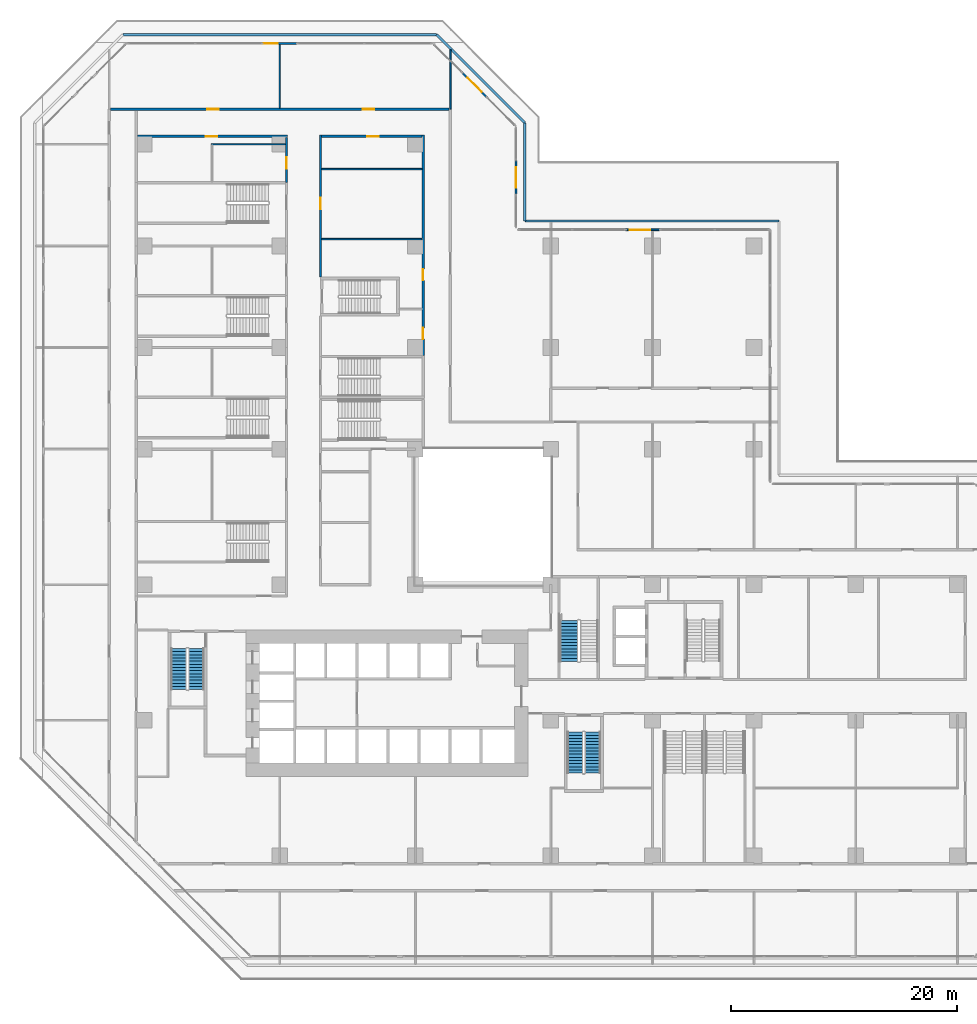
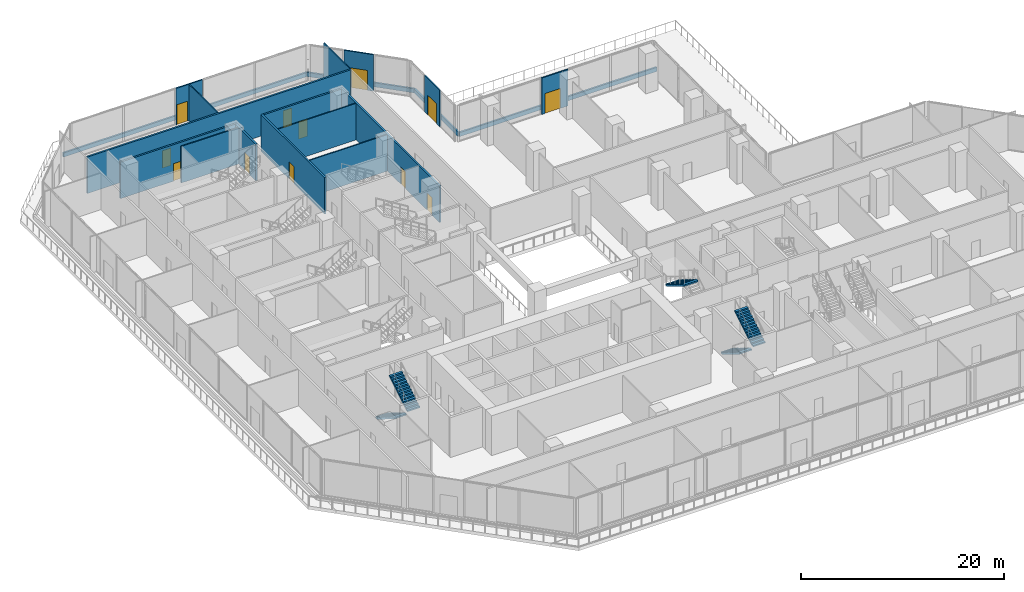
# One storey, part 19 of 26: 19 walls, 12 doors, 5 stair flights, 12 openings, 3 elements without a shape of their own.
"""IFC4 building model written with IfcOpenShell, lengths in metres."""

from ifc_helpers import new_model, si_unit, direction, frame, frame_2d, origin, place, context, subcontext, project, spatial, polyline, rectangle, outline, extrude, material, layer, layer_set, type_object, element, fill, aggregate, save


model = new_model("IFC4")

# Units and contexts
model_context = context("Model", 3, precision=1e-05, world=origin(), true_north=direction((0.0, 1.0)))
body_context = subcontext(model_context, "Body", "Model", "MODEL_VIEW")
ifc_project = project(units=[si_unit("LENGTHUNIT", "METRE"), si_unit("AREAUNIT", "SQUARE_METRE"), si_unit("VOLUMEUNIT", "CUBIC_METRE"), si_unit("PLANEANGLEUNIT", "RADIAN"), si_unit("MASSUNIT", "GRAM", prefix="KILO")], contexts=[model_context])

# Site, building, storey
site_placement = place(None, origin())
site = spatial("IfcSite", under=ifc_project, at=site_placement, CompositionType="ELEMENT")
building_placement = place(site_placement, origin())
building = spatial("IfcBuilding", under=site, at=building_placement, Name="Chenar Terraces", CompositionType="ELEMENT")
storey_placement = place(building_placement, frame((0.0, 0.0, 16.800048828125)))
storey = spatial("IfcBuildingStorey", under=building, at=storey_placement, Name="L03", CompositionType="ELEMENT", Elevation=16.800048828125)

# Walls
ifc_material_1 = material(Name="Gypsum board on steel studs with mineral wool", Category="steel")
ifc_layer_1 = layer(ifc_material_1, 0.125)
ifc_layer_set_1 = layer_set([ifc_layer_1], Name="Gypsum board on steel studs with mineral wool")
wall_type_1 = type_object("IfcWallType", Name="Acoustic partition 125", PredefinedType="PARTITIONING", material=ifc_layer_set_1)
wall_1_placement = place(storey_placement, frame((5.93798828125, 63.0, 0.0), z_axis=(0.0, 0.0, 1.0), x_axis=(1.0, 0.0, 0.0)))
element("IfcWall", 1, at=wall_1_placement, inside=storey, type_object=wall_type_1, Name="Partition L03-033", PredefinedType="PARTITIONING", context=body_context, shape_type="SweptSolid", body=[
    extrude(rectangle(XDim=6.56201171875, YDim=0.125, at=frame_2d((3.281005859375, 0.0))), origin(), (0.0, 0.0, 1.0), 4.39990234375),
])
wall_2_placement = place(storey_placement, frame((12.0, 66.199951171875, 0.0), z_axis=(0.0, 0.0, 1.0), x_axis=(0.0, 1.0, 0.0)))
element("IfcWall", 2, at=wall_2_placement, inside=storey, type_object=wall_type_1, Name="Partition L03-040", PredefinedType="PARTITIONING", context=body_context, shape_type="SweptSolid", body=[
    extrude(rectangle(XDim=5.651123046875, YDim=0.125, at=frame_2d((2.82568359375, 0.0))), origin(), (0.0, 0.0, 1.0), 4.39990234375),
])
for number, where, z_axis, x_axis, name in (
    (3, (15.699951171875, 54.60009765625, 0.0), (0.0, 0.0, 1.0), (1.0, 0.0, 0.0), "Partition L03-060"),
    (4, (15.699951171875, 60.800048828125, 0.0), (0.0, 0.0, 1.0), (1.0, 0.0, 0.0), "Partition L03-061"),
):
    element("IfcWall", number, at=place(storey_placement, frame(where, z_axis=z_axis, x_axis=x_axis)), inside=storey, type_object=wall_type_1, Name=name, PredefinedType="PARTITIONING", context=body_context, shape_type="SweptSolid", body=[
        extrude(rectangle(XDim=8.900146484375, YDim=0.125, at=frame_2d((4.4501953125, 0.0))), origin(), (0.0, 0.0, 1.0), 4.39990234375),
    ])
wall_3_placement = place(storey_placement, frame((27.10009765625, 66.10009765625, 0.0), z_axis=(0.0, 0.0, 1.0), x_axis=(0.0, 1.0, 0.0)))
element("IfcWall", 5, at=wall_3_placement, inside=storey, type_object=wall_type_1, Name="Partition L03-072", PredefinedType="PARTITIONING", context=body_context, shape_type="SweptSolid", body=[
    extrude(rectangle(XDim=5.2548828125, YDim=0.125, at=frame_2d((2.62744140625, 0.0))), origin(), (0.0, 0.0, 1.0), 4.39990234375),
])

# Wall, openings, doors
ifc_material_2 = material(Name="Gypsum board on steel studs with fire boards", Category="steel")
ifc_layer_2 = layer(ifc_material_2, 0.199951171875)
ifc_layer_set_2 = layer_set([ifc_layer_2], Name="Gypsum board on steel studs with fire boards")
wall_type_2 = type_object("IfcWallType", Name="Corridor wall 200", PredefinedType="PARTITIONING", material=ifc_layer_set_2)
wall_4_placement = place(storey_placement, frame((-3.0, 66.10009765625, 0.0), z_axis=(0.0, 0.0, 1.0), x_axis=(1.0, 0.0, 0.0)))
wall_4 = element("IfcWall", 6, at=wall_4_placement, inside=storey, type_object=wall_type_2, Name="Partition L03-009", PredefinedType="PARTITIONING", context=body_context, shape_type="SweptSolid", body=[
    extrude(rectangle(XDim=30.0, YDim=0.199951171875, at=frame_2d((15.0, 0.0))), origin(), (0.0, 0.0, 1.0), 4.39990234375),
])
opening_1_placement = place(wall_4_placement, frame((8.60009765625, 0.0, 0.0)))
opening_1 = element("IfcOpeningElement", 7, at=opening_1_placement, cuts=wall_4, Name="Opening DL03-47", PredefinedType="OPENING", context=body_context, shape_type="SweptSolid", body=[
    extrude(rectangle(XDim=1.0, YDim=2.10009765625, at=frame_2d((0.5, 1.050048828125))), frame((0.0, 0.10986328125, 0.0), z_axis=(0.0, -1.0, 0.0), x_axis=(1.0, 0.0, 0.0)), (0.0, 0.0, 1.0), 0.219970703125),
])
opening_2_placement = place(wall_4_placement, frame((22.35009765625, 0.0, 0.0)))
opening_2 = element("IfcOpeningElement", 8, at=opening_2_placement, cuts=wall_4, Name="Opening DL03-48", PredefinedType="OPENING", context=body_context, shape_type="SweptSolid", body=[
    extrude(rectangle(XDim=1.0, YDim=2.10009765625, at=frame_2d((0.5, 1.050048828125))), frame((0.0, 0.10986328125, 0.0), z_axis=(0.0, -1.0, 0.0), x_axis=(1.0, 0.0, 0.0)), (0.0, 0.0, 1.0), 0.219970703125),
])
ifc_material_3 = material(Name="Steel-framed fire-resisting door leaf", Category="steel")
door_type_1 = type_object("IfcDoorType", Name="Fire door FD60 1000 x 2100", OperationType="SINGLE_SWING_LEFT", PredefinedType="DOOR", material=ifc_material_3)
door_1_placement = place(opening_1_placement, origin())
door_1 = element("IfcDoor", 9, at=door_1_placement, inside=storey, type_object=door_type_1, Name="Door DL03-47", OperationType="SINGLE_SWING_RIGHT", OverallHeight=2.10009765625, OverallWidth=1.0, PredefinedType="DOOR", context=body_context, shape_type="SweptSolid", body=[
    extrude(rectangle(XDim=1.0, YDim=2.10009765625, at=frame_2d((0.5, 1.050048828125))), frame((0.0, 0.02490234375, 0.0), z_axis=(0.0, -1.0, 0.0), x_axis=(1.0, 0.0, 0.0)), (0.0, 0.0, 1.0), 0.050048828125),
])
fill(opening_1, door_1)
door_2_placement = place(opening_2_placement, origin())
door_2 = element("IfcDoor", 10, at=door_2_placement, inside=storey, type_object=door_type_1, Name="Door DL03-48", OperationType="SINGLE_SWING_RIGHT", OverallHeight=2.10009765625, OverallWidth=1.0, PredefinedType="DOOR", context=body_context, shape_type="SweptSolid", body=[
    extrude(rectangle(XDim=1.0, YDim=2.10009765625, at=frame_2d((0.5, 1.050048828125))), frame((0.0, 0.02490234375, 0.0), z_axis=(0.0, -1.0, 0.0), x_axis=(1.0, 0.0, 0.0)), (0.0, 0.0, 1.0), 0.050048828125),
])
fill(opening_2, door_2)

# Wall, opening, door
wall_5_placement = place(storey_placement, frame((-0.60009765625, 63.699951171875, 0.0), z_axis=(0.0, 0.0, 1.0), x_axis=(1.0, 0.0, 0.0)))
wall_5 = element("IfcWall", 11, at=wall_5_placement, inside=storey, type_object=wall_type_2, Name="Partition L03-029", PredefinedType="PARTITIONING", context=body_context, shape_type="SweptSolid", body=[
    extrude(rectangle(XDim=13.300048828125, YDim=0.199951171875, at=frame_2d((6.64990234375, 0.0))), origin(), (0.0, 0.0, 1.0), 4.39990234375),
])
opening_3_placement = place(wall_5_placement, frame((6.050048828125, 0.0, 0.0)))
opening_3 = element("IfcOpeningElement", 12, at=opening_3_placement, cuts=wall_5, Name="Opening DL03-35", PredefinedType="OPENING", context=body_context, shape_type="SweptSolid", body=[
    extrude(rectangle(XDim=1.0, YDim=2.10009765625, at=frame_2d((0.5, 1.050048828125))), frame((0.0, 0.10986328125, 0.0), z_axis=(0.0, -1.0, 0.0), x_axis=(1.0, 0.0, 0.0)), (0.0, 0.0, 1.0), 0.219970703125),
])
door_3_placement = place(opening_3_placement, origin())
door_3 = element("IfcDoor", 13, at=door_3_placement, inside=storey, type_object=door_type_1, Name="Door DL03-35", OperationType="SINGLE_SWING_RIGHT", OverallHeight=2.10009765625, OverallWidth=1.0, PredefinedType="DOOR", context=body_context, shape_type="SweptSolid", body=[
    extrude(rectangle(XDim=1.0, YDim=2.10009765625, at=frame_2d((0.5, 1.050048828125))), frame((0.0, 0.02490234375, 0.0), z_axis=(0.0, -1.0, 0.0), x_axis=(1.0, 0.0, 0.0)), (0.0, 0.0, 1.0), 0.050048828125),
])
fill(opening_3, door_3)

wall_6_placement = place(storey_placement, frame((12.60009765625, 59.60009765625, 0.0), z_axis=(0.0, 0.0, 1.0), x_axis=(0.0, 1.0, 0.0)))
wall_6 = element("IfcWall", 14, at=wall_6_placement, inside=storey, type_object=wall_type_2, Name="Partition L03-048", PredefinedType="PARTITIONING", context=body_context, shape_type="SweptSolid", body=[
    extrude(rectangle(XDim=4.0, YDim=0.199951171875, at=frame_2d((2.0, 0.0))), origin(), (0.0, 0.0, 1.0), 4.39990234375),
])
opening_4_placement = place(wall_6_placement, frame((1.25, 0.0, 0.0)))
opening_4 = element("IfcOpeningElement", 15, at=opening_4_placement, cuts=wall_6, Name="Opening DL03-15", PredefinedType="OPENING", context=body_context, shape_type="SweptSolid", body=[
    extrude(rectangle(XDim=1.0, YDim=2.10009765625, at=frame_2d((0.5, 1.050048828125))), frame((0.0, 0.10986328125, 0.0), z_axis=(0.0, -1.0, 0.0), x_axis=(1.0, 0.0, 0.0)), (0.0, 0.0, 1.0), 0.219970703125),
])
door_4_placement = place(opening_4_placement, origin())
door_4 = element("IfcDoor", 16, at=door_4_placement, inside=storey, type_object=door_type_1, Name="Door DL03-15", OperationType="SINGLE_SWING_RIGHT", OverallHeight=2.10009765625, OverallWidth=1.0, PredefinedType="DOOR", context=body_context, shape_type="SweptSolid", body=[
    extrude(rectangle(XDim=1.0, YDim=2.10009765625, at=frame_2d((0.5, 1.050048828125))), frame((0.0, 0.02490234375, 0.0), z_axis=(0.0, -1.0, 0.0), x_axis=(1.0, 0.0, 0.0)), (0.0, 0.0, 1.0), 0.050048828125),
])
fill(opening_4, door_4)

wall_7_placement = place(storey_placement, frame((15.60009765625, 51.22509765625, 0.0), z_axis=(0.0, 0.0, 1.0), x_axis=(0.0, 1.0, 0.0)))
wall_7 = element("IfcWall", 17, at=wall_7_placement, inside=storey, type_object=wall_type_2, Name="Partition L03-054", PredefinedType="PARTITIONING", context=body_context, shape_type="SweptSolid", body=[
    extrude(rectangle(XDim=12.574951171875, YDim=0.199951171875, at=frame_2d((6.28759765625, 0.0))), origin(), (0.0, 0.0, 1.0), 4.39990234375),
])
opening_5_placement = place(wall_7_placement, frame((6.02490234375, 0.0, 0.0)))
opening_5 = element("IfcOpeningElement", 18, at=opening_5_placement, cuts=wall_7, Name="Opening DL03-24", PredefinedType="OPENING", context=body_context, shape_type="SweptSolid", body=[
    extrude(rectangle(XDim=1.0, YDim=2.10009765625, at=frame_2d((0.5, 1.050048828125))), frame((0.0, 0.10986328125, 0.0), z_axis=(0.0, -1.0, 0.0), x_axis=(1.0, 0.0, 0.0)), (0.0, 0.0, 1.0), 0.219970703125),
])
door_5_placement = place(opening_5_placement, frame((1.0, 0.0, 0.0), z_axis=(0.0, 0.0, 1.0), x_axis=(-1.0, 0.0, 0.0)))
door_5 = element("IfcDoor", 19, at=door_5_placement, inside=storey, type_object=door_type_1, Name="Door DL03-24", OperationType="SINGLE_SWING_LEFT", OverallHeight=2.10009765625, OverallWidth=1.0, PredefinedType="DOOR", context=body_context, shape_type="SweptSolid", body=[
    extrude(rectangle(XDim=1.0, YDim=2.10009765625, at=frame_2d((0.5, 1.050048828125))), frame((0.0, 0.02490234375, 0.0), z_axis=(0.0, -1.0, 0.0), x_axis=(1.0, 0.0, 0.0)), (0.0, 0.0, 1.0), 0.050048828125),
])
fill(opening_5, door_5)

wall_8_placement = place(storey_placement, frame((15.699951171875, 63.699951171875, 0.0), z_axis=(0.0, 0.0, 1.0), x_axis=(1.0, 0.0, 0.0)))
wall_8 = element("IfcWall", 20, at=wall_8_placement, inside=storey, type_object=wall_type_2, Name="Partition L03-062", PredefinedType="PARTITIONING", context=body_context, shape_type="SweptSolid", body=[
    extrude(rectangle(XDim=8.900146484375, YDim=0.199951171875, at=frame_2d((4.4501953125, 0.0))), origin(), (0.0, 0.0, 1.0), 4.39990234375),
])
opening_6_placement = place(wall_8_placement, frame((4.050048828125, 0.0, 0.0)))
opening_6 = element("IfcOpeningElement", 21, at=opening_6_placement, cuts=wall_8, Name="Opening DL03-25", PredefinedType="OPENING", context=body_context, shape_type="SweptSolid", body=[
    extrude(rectangle(XDim=1.0, YDim=2.10009765625, at=frame_2d((0.5, 1.050048828125))), frame((0.0, 0.10986328125, 0.0), z_axis=(0.0, -1.0, 0.0), x_axis=(1.0, 0.0, 0.0)), (0.0, 0.0, 1.0), 0.219970703125),
])
door_6_placement = place(opening_6_placement, frame((1.0, 0.0, 0.0), z_axis=(0.0, 0.0, 1.0), x_axis=(-1.0, 0.0, 0.0)))
door_6 = element("IfcDoor", 22, at=door_6_placement, inside=storey, type_object=door_type_1, Name="Door DL03-25", OperationType="SINGLE_SWING_LEFT", OverallHeight=2.10009765625, OverallWidth=1.0, PredefinedType="DOOR", context=body_context, shape_type="SweptSolid", body=[
    extrude(rectangle(XDim=1.0, YDim=2.10009765625, at=frame_2d((0.5, 1.050048828125))), frame((0.0, 0.02490234375, 0.0), z_axis=(0.0, -1.0, 0.0), x_axis=(1.0, 0.0, 0.0)), (0.0, 0.0, 1.0), 0.050048828125),
])
fill(opening_6, door_6)

# Wall, openings, doors
wall_9_placement = place(storey_placement, frame((24.699951171875, 44.300048828125, 0.0), z_axis=(0.0, 0.0, 1.0), x_axis=(0.0, 1.0, 0.0)))
wall_9 = element("IfcWall", 23, at=wall_9_placement, inside=storey, type_object=wall_type_2, Name="Partition L03-069", PredefinedType="PARTITIONING", context=body_context, shape_type="SweptSolid", body=[
    extrude(rectangle(XDim=19.5, YDim=0.199951171875, at=frame_2d((9.75, 0.0))), origin(), (0.0, 0.0, 1.0), 4.39990234375),
])
opening_7_placement = place(wall_9_placement, frame((1.449951171875, 0.0, 0.0)))
opening_7 = element("IfcOpeningElement", 24, at=opening_7_placement, cuts=wall_9, Name="Opening DL03-22", PredefinedType="OPENING", context=body_context, shape_type="SweptSolid", body=[
    extrude(rectangle(XDim=1.0, YDim=2.10009765625, at=frame_2d((0.5, 1.050048828125))), frame((0.0, 0.10986328125, 0.0), z_axis=(0.0, -1.0, 0.0), x_axis=(1.0, 0.0, 0.0)), (0.0, 0.0, 1.0), 0.219970703125),
])
opening_8_placement = place(wall_9_placement, frame((6.64990234375, 0.0, 0.0)))
opening_8 = element("IfcOpeningElement", 25, at=opening_8_placement, cuts=wall_9, Name="Opening DL03-23", PredefinedType="OPENING", context=body_context, shape_type="SweptSolid", body=[
    extrude(rectangle(XDim=1.0, YDim=2.10009765625, at=frame_2d((0.5, 1.050048828125))), frame((0.0, 0.10986328125, 0.0), z_axis=(0.0, -1.0, 0.0), x_axis=(1.0, 0.0, 0.0)), (0.0, 0.0, 1.0), 0.219970703125),
])
door_7_placement = place(opening_7_placement, origin())
door_7 = element("IfcDoor", 26, at=door_7_placement, inside=storey, type_object=door_type_1, Name="Door DL03-22", OperationType="SINGLE_SWING_LEFT", OverallHeight=2.10009765625, OverallWidth=1.0, PredefinedType="DOOR", context=body_context, shape_type="SweptSolid", body=[
    extrude(rectangle(XDim=1.0, YDim=2.10009765625, at=frame_2d((0.5, 1.050048828125))), frame((0.0, 0.02490234375, 0.0), z_axis=(0.0, -1.0, 0.0), x_axis=(1.0, 0.0, 0.0)), (0.0, 0.0, 1.0), 0.050048828125),
])
fill(opening_7, door_7)
door_8_placement = place(opening_8_placement, origin())
door_8 = element("IfcDoor", 27, at=door_8_placement, inside=storey, type_object=door_type_1, Name="Door DL03-23", OperationType="SINGLE_SWING_RIGHT", OverallHeight=2.10009765625, OverallWidth=1.0, PredefinedType="DOOR", context=body_context, shape_type="SweptSolid", body=[
    extrude(rectangle(XDim=1.0, YDim=2.10009765625, at=frame_2d((0.5, 1.050048828125))), frame((0.0, 0.02490234375, 0.0), z_axis=(0.0, -1.0, 0.0), x_axis=(1.0, 0.0, 0.0)), (0.0, 0.0, 1.0), 0.050048828125),
])
fill(opening_8, door_8)

# Wall, opening, door
ifc_material_4 = material(Name="Aluminium framed glazing", Category="aluminium")
ifc_layer_3 = layer(ifc_material_4, 0.14990234375)
ifc_layer_set_3 = layer_set([ifc_layer_3], Name="Aluminium framed glazing")
wall_type_3 = type_object("IfcWallType", Name="Podium glazed wall 150", PredefinedType="SOLIDWALL", material=ifc_layer_set_3)
wall_10_placement = place(storey_placement, frame((32.925048828125, 58.55322265625, 0.0), z_axis=(0.0, 0.0, 1.0), x_axis=(0.0, 1.0, 0.0)))
wall_10 = element("IfcWall", 28, at=wall_10_placement, inside=storey, type_object=wall_type_3, Name="Podium glazed wall", PredefinedType="SOLIDWALL", context=body_context, shape_type="SweptSolid", body=[
    extrude(rectangle(XDim=3.0, YDim=0.14990234375, at=frame_2d((1.5, 0.0))), origin(), (0.0, 0.0, 1.0), 4.39990234375),
])
opening_9_placement = place(wall_10_placement, frame((0.60009765625, 0.0, 0.0)))
opening_9 = element("IfcOpeningElement", 29, at=opening_9_placement, cuts=wall_10, Name="Opening DL03-T1", PredefinedType="OPENING", context=body_context, shape_type="SweptSolid", body=[
    extrude(rectangle(XDim=1.800048828125, YDim=2.39990234375, at=frame_2d((0.89990234375, 1.199951171875))), frame((0.0, 0.0849609375, 0.0), z_axis=(0.0, -1.0, 0.0), x_axis=(1.0, 0.0, 0.0)), (0.0, 0.0, 1.0), 0.169921875),
])
ifc_material_5 = material(Name="Low emissivity double glazing, aluminium frame", Category="aluminium")
door_type_2 = type_object("IfcDoorType", Name="Terrace glazed double door 1800 x 2400", OperationType="DOUBLE_DOOR_SINGLE_SWING", PredefinedType="DOOR", material=ifc_material_5)
door_9_placement = place(opening_9_placement, frame((1.800048828125, 0.0, 0.0), z_axis=(0.0, 0.0, 1.0), x_axis=(-1.0, 0.0, 0.0)))
door_9 = element("IfcDoor", 30, at=door_9_placement, inside=storey, type_object=door_type_2, Name="Terrace glazed door", OperationType="DOUBLE_DOOR_SINGLE_SWING", OverallHeight=2.39990234375, OverallWidth=1.800048828125, PredefinedType="DOOR", context=body_context, shape_type="SweptSolid", body=[
    extrude(rectangle(XDim=1.800048828125, YDim=2.39990234375, at=frame_2d((0.89990234375, 1.199951171875))), frame((0.0, 0.02490234375, 0.0), z_axis=(0.0, -1.0, 0.0), x_axis=(1.0, 0.0, 0.0)), (0.0, 0.0, 1.0), 0.050048828125),
])
fill(opening_9, door_9)

wall_11_placement = place(storey_placement, frame((30.31103515625, 67.189697265625, 0.0), z_axis=(0.0, 0.0, 1.0), x_axis=(-0.707106781187, 0.707106781187, 0.0)))
wall_11 = element("IfcWall", 31, at=wall_11_placement, inside=storey, type_object=wall_type_3, Name="Podium glazed wall", PredefinedType="SOLIDWALL", context=body_context, shape_type="SweptSolid", body=[
    extrude(rectangle(XDim=3.0, YDim=0.14990234375, at=frame_2d((1.5, 0.0))), origin(), (0.0, 0.0, 1.0), 4.39990234375),
])
opening_10_placement = place(wall_11_placement, frame((0.60009765625, 0.0, 0.0)))
opening_10 = element("IfcOpeningElement", 32, at=opening_10_placement, cuts=wall_11, Name="Opening DL03-T1", PredefinedType="OPENING", context=body_context, shape_type="SweptSolid", body=[
    extrude(rectangle(XDim=1.800048828125, YDim=2.39990234375, at=frame_2d((0.89990234375, 1.199951171875))), frame((0.0, 0.0849609375, 0.0), z_axis=(0.0, -1.0, 0.0), x_axis=(1.0, 0.0, 0.0)), (0.0, 0.0, 1.0), 0.169921875),
])
door_10_placement = place(opening_10_placement, frame((1.800048828125, 0.0, 0.0), z_axis=(0.0, 0.0, 1.0), x_axis=(-1.0, 0.0, 0.0)))
door_10 = element("IfcDoor", 33, at=door_10_placement, inside=storey, type_object=door_type_2, Name="Terrace glazed door", OperationType="DOUBLE_DOOR_SINGLE_SWING", OverallHeight=2.39990234375, OverallWidth=1.800048828125, PredefinedType="DOOR", context=body_context, shape_type="SweptSolid", body=[
    extrude(rectangle(XDim=1.800048828125, YDim=2.39990234375, at=frame_2d((0.89990234375, 1.199951171875))), frame((0.0, 0.02490234375, 0.0), z_axis=(0.0, -1.0, 0.0), x_axis=(1.0, 0.0, 0.0)), (0.0, 0.0, 1.0), 0.050048828125),
])
fill(opening_10, door_10)

wall_12_placement = place(storey_placement, frame((13.5, 71.925048828125, 0.0), z_axis=(0.0, 0.0, 1.0), x_axis=(-1.0, 0.0, 0.0)))
wall_12 = element("IfcWall", 34, at=wall_12_placement, inside=storey, type_object=wall_type_3, Name="Podium glazed wall", PredefinedType="SOLIDWALL", context=body_context, shape_type="SweptSolid", body=[
    extrude(rectangle(XDim=3.0, YDim=0.14990234375, at=frame_2d((1.5, 0.0))), origin(), (0.0, 0.0, 1.0), 4.39990234375),
])
opening_11_placement = place(wall_12_placement, frame((1.699951171875, 0.0, 0.0)))
opening_11 = element("IfcOpeningElement", 35, at=opening_11_placement, cuts=wall_12, Name="Opening DL03-T1N", PredefinedType="OPENING", context=body_context, shape_type="SweptSolid", body=[
    extrude(rectangle(XDim=1.199951171875, YDim=2.39990234375, at=frame_2d((0.60009765625, 1.199951171875))), frame((0.0, 0.0849609375, 0.0), z_axis=(0.0, -1.0, 0.0), x_axis=(1.0, 0.0, 0.0)), (0.0, 0.0, 1.0), 0.169921875),
])
ifc_material_6 = material(Name="Low emissivity double glazing, aluminium frame", Category="aluminium")
door_type_3 = type_object("IfcDoorType", Name="Terrace glazed door 1200 x 2400", OperationType="SINGLE_SWING_LEFT", PredefinedType="DOOR", material=ifc_material_6)
door_11_placement = place(opening_11_placement, frame((1.199951171875, 0.0, 0.0), z_axis=(0.0, 0.0, 1.0), x_axis=(-1.0, 0.0, 0.0)))
door_11 = element("IfcDoor", 36, at=door_11_placement, inside=storey, type_object=door_type_3, Name="Terrace glazed door", OperationType="DOUBLE_DOOR_SINGLE_SWING", OverallHeight=2.39990234375, OverallWidth=1.199951171875, PredefinedType="DOOR", context=body_context, shape_type="SweptSolid", body=[
    extrude(rectangle(XDim=1.199951171875, YDim=2.39990234375, at=frame_2d((0.60009765625, 1.199951171875))), frame((0.0, 0.02490234375, 0.0), z_axis=(0.0, -1.0, 0.0), x_axis=(1.0, 0.0, 0.0)), (0.0, 0.0, 1.0), 0.050048828125),
])
fill(opening_11, door_11)

wall_13_placement = place(storey_placement, frame((45.64990234375, 55.425048828125, 0.0), z_axis=(0.0, 0.0, 1.0), x_axis=(-1.0, 0.0, 0.0)))
wall_13 = element("IfcWall", 37, at=wall_13_placement, inside=storey, type_object=wall_type_3, Name="Podium glazed wall", PredefinedType="SOLIDWALL", context=body_context, shape_type="SweptSolid", body=[
    extrude(rectangle(XDim=3.0, YDim=0.14990234375, at=frame_2d((1.5, 0.0))), origin(), (0.0, 0.0, 1.0), 4.39990234375),
])
opening_12_placement = place(wall_13_placement, frame((0.85009765625, 0.0, 0.0)))
opening_12 = element("IfcOpeningElement", 38, at=opening_12_placement, cuts=wall_13, Name="Opening DL03-T1", PredefinedType="OPENING", context=body_context, shape_type="SweptSolid", body=[
    extrude(rectangle(XDim=1.800048828125, YDim=2.39990234375, at=frame_2d((0.89990234375, 1.199951171875))), frame((0.0, 0.0849609375, 0.0), z_axis=(0.0, -1.0, 0.0), x_axis=(1.0, 0.0, 0.0)), (0.0, 0.0, 1.0), 0.169921875),
])
door_12_placement = place(opening_12_placement, frame((1.800048828125, 0.0, 0.0), z_axis=(0.0, 0.0, 1.0), x_axis=(-1.0, 0.0, 0.0)))
door_12 = element("IfcDoor", 39, at=door_12_placement, inside=storey, type_object=door_type_2, Name="Terrace glazed door", OperationType="DOUBLE_DOOR_SINGLE_SWING", OverallHeight=2.39990234375, OverallWidth=1.800048828125, PredefinedType="DOOR", context=body_context, shape_type="SweptSolid", body=[
    extrude(rectangle(XDim=1.800048828125, YDim=2.39990234375, at=frame_2d((0.89990234375, 1.199951171875))), frame((0.0, 0.02490234375, 0.0), z_axis=(0.0, -1.0, 0.0), x_axis=(1.0, 0.0, 0.0)), (0.0, 0.0, 1.0), 0.050048828125),
])
fill(opening_12, door_12)

# Walls
ifc_material_7 = material(Name="Terracotta cladding on insulated backing", Category="masonry")
ifc_layer_4 = layer(ifc_material_7, 0.199951171875)
ifc_layer_set_4 = layer_set([ifc_layer_4], Name="Terracotta cladding on insulated backing")
wall_type_4 = type_object("IfcWallType", Name="Terrace parapet upstand 200", PredefinedType="PARAPET", material=ifc_layer_set_4)
wall_14_placement = place(storey_placement, frame((33.699951171875, 56.199951171875, 0.0), z_axis=(0.0, 0.0, 1.0), x_axis=(1.0, 0.0, 0.0)))
element("IfcWall", 40, at=wall_14_placement, inside=storey, type_object=wall_type_4, Name="Terrace parapet", PredefinedType="PARAPET", context=body_context, shape_type="SweptSolid", body=[
    extrude(rectangle(XDim=22.5, YDim=0.199951171875, at=frame_2d((11.25, 0.0))), origin(), (0.0, 0.0, 1.0), 0.5),
])
wall_15_placement = place(storey_placement, frame((-1.896484375, 72.699951171875, 0.0), z_axis=(0.0, 0.0, 1.0), x_axis=(1.0, 0.0, 0.0)))
element("IfcWall", 41, at=wall_15_placement, inside=storey, type_object=wall_type_4, Name="Terrace parapet", PredefinedType="PARAPET", context=body_context, shape_type="SweptSolid", body=[
    extrude(rectangle(XDim=27.79296875, YDim=0.199951171875, at=frame_2d((13.896484375, 0.0))), origin(), (0.0, 0.0, 1.0), 0.5),
])
wall_16_placement = place(storey_placement, frame((25.896484375, 72.699951171875, 0.0), z_axis=(0.0, 0.0, 1.0), x_axis=(0.707106781187, -0.707106781187, 0.0)))
element("IfcWall", 42, at=wall_16_placement, inside=storey, type_object=wall_type_4, Name="Terrace parapet", PredefinedType="PARAPET", context=body_context, shape_type="SweptSolid", body=[
    extrude(rectangle(XDim=11.035888671875, YDim=0.199951171875, at=frame_2d((5.51806640625, 0.0))), origin(), (0.0, 0.0, 1.0), 0.5),
])
wall_17_placement = place(storey_placement, frame((33.699951171875, 64.896484375, 0.0), z_axis=(0.0, 0.0, 1.0), x_axis=(0.0, -1.0, 0.0)))
element("IfcWall", 43, at=wall_17_placement, inside=storey, type_object=wall_type_4, Name="Terrace parapet", PredefinedType="PARAPET", context=body_context, shape_type="SweptSolid", body=[
    extrude(rectangle(XDim=8.696533203125, YDim=0.199951171875, at=frame_2d((4.34814453125, 0.0))), origin(), (0.0, 0.0, 1.0), 0.5),
])

# Stair, stair flights
ifc_material_8 = material(Name="Reinforced concrete C40/50", Category="concrete")
stair_type = type_object("IfcStairType", Name="Core stair 1400 half-turn", PredefinedType="HALF_TURN_STAIR", material=ifc_material_8)
placement = place(storey_placement, origin())
stair_1 = element("IfcStair", 44, at=placement, inside=storey, type_object=stair_type, Name="L03 Stair 1", PredefinedType="HALF_TURN_STAIR")
ifc_material_9 = material(Name="Reinforced concrete C40/50", Category="concrete")
stair_flight_type = type_object("IfcStairFlightType", Name="Core stair flight 1400", PredefinedType="STRAIGHT", material=ifc_material_9)
stair_flight_1_placement = place(storey_placement, frame((3.050048828125, 18.35009765625, 0.0), z_axis=(0.0, 0.0, 1.0), x_axis=(0.0, -1.0, 0.0)))
stair_flight_1 = element("IfcStairFlight", 45, at=stair_flight_1_placement, type_object=stair_flight_type, Name="ST1 flight 1", NumberOfRisers=14, NumberOfTreads=13, PredefinedType="STRAIGHT", RiserHeight=0.171428571, TreadLength=0.28, context=body_context, shape_type="SweptSolid", body=[
    extrude(outline(polyline([(-0.0029296875, 0.0), (-0.0029296875, 0.17138671875), (0.0, 0.17138671875), (0.280029296875, 0.17138671875), (0.280029296875, 0.3427734375), (0.56005859375, 0.3427734375), (0.56005859375, 0.514404296875), (0.840087890625, 0.514404296875), (0.840087890625, 0.685791015625), (1.1201171875, 0.685791015625), (1.1201171875, 0.857177734375), (1.39990234375, 0.857177734375), (1.39990234375, 1.028564453125), (1.679931640625, 1.028564453125), (1.679931640625, 1.199951171875), (1.9599609375, 1.199951171875), (1.9599609375, 1.371337890625), (2.239990234375, 1.371337890625), (2.239990234375, 1.54296875), (2.52001953125, 1.54296875), (2.52001953125, 1.71435546875), (2.800048828125, 1.71435546875), (2.800048828125, 1.8857421875), (3.080078125, 1.8857421875), (3.080078125, 2.05712890625), (3.360107421875, 2.05712890625), (3.360107421875, 2.228515625), (3.639892578125, 2.228515625), (3.64306640625, 2.228515625), (3.64306640625, 2.052734375), (3.639892578125, 2.052734375), (0.287109375, 0.0), (-0.0029296875, 0.0)])), frame((0.0, 0.699951171875, 0.0), z_axis=(0.0, -1.0, 0.0), x_axis=(1.0, 0.0, 0.0)), (0.0, 0.0, 1.0), 1.39990234375),
])
stair_flight_2_placement = place(storey_placement, frame((4.60009765625, 14.7099609375, 2.39990234375), z_axis=(0.0, 0.0, 1.0), x_axis=(0.0, 1.0, 0.0)))
stair_flight_2 = element("IfcStairFlight", 46, at=stair_flight_2_placement, type_object=stair_flight_type, Name="ST1 flight 2", NumberOfRisers=14, NumberOfTreads=13, PredefinedType="STRAIGHT", RiserHeight=0.171428571, TreadLength=0.28, context=body_context, shape_type="SweptSolid", body=[
    extrude(outline(polyline([(-0.0029296875, 0.0), (-0.0029296875, 0.17138671875), (0.0, 0.17138671875), (0.280029296875, 0.17138671875), (0.280029296875, 0.3427734375), (0.56005859375, 0.3427734375), (0.56005859375, 0.514404296875), (0.840087890625, 0.514404296875), (0.840087890625, 0.685791015625), (1.1201171875, 0.685791015625), (1.1201171875, 0.857177734375), (1.39990234375, 0.857177734375), (1.39990234375, 1.028564453125), (1.679931640625, 1.028564453125), (1.679931640625, 1.199951171875), (1.9599609375, 1.199951171875), (1.9599609375, 1.371337890625), (2.239990234375, 1.371337890625), (2.239990234375, 1.54296875), (2.52001953125, 1.54296875), (2.52001953125, 1.71435546875), (2.800048828125, 1.71435546875), (2.800048828125, 1.8857421875), (3.080078125, 1.8857421875), (3.080078125, 2.05712890625), (3.360107421875, 2.05712890625), (3.360107421875, 2.228515625), (3.639892578125, 2.228515625), (3.64306640625, 2.228515625), (3.64306640625, 2.052734375), (3.639892578125, 2.052734375), (0.287109375, 0.0), (-0.0029296875, 0.0)])), frame((0.0, 0.699951171875, 0.0), z_axis=(0.0, -1.0, 0.0), x_axis=(1.0, 0.0, 0.0)), (0.0, 0.0, 1.0), 1.39990234375),
])
aggregate(stair_1, [stair_flight_1, stair_flight_2])

stair_2 = element("IfcStair", 47, at=placement, inside=storey, type_object=stair_type, Name="L03 Stair 2", PredefinedType="HALF_TURN_STAIR")
stair_flight_3_placement = place(storey_placement, frame((38.14990234375, 10.949951171875, 0.0), z_axis=(0.0, 0.0, 1.0), x_axis=(0.0, -1.0, 0.0)))
stair_flight_3 = element("IfcStairFlight", 48, at=stair_flight_3_placement, type_object=stair_flight_type, Name="ST2 flight 1", NumberOfRisers=14, NumberOfTreads=13, PredefinedType="STRAIGHT", RiserHeight=0.171428571, TreadLength=0.28, context=body_context, shape_type="SweptSolid", body=[
    extrude(outline(polyline([(-0.0029296875, 0.0), (-0.0029296875, 0.17138671875), (0.0, 0.17138671875), (0.280029296875, 0.17138671875), (0.280029296875, 0.3427734375), (0.56005859375, 0.3427734375), (0.56005859375, 0.514404296875), (0.840087890625, 0.514404296875), (0.840087890625, 0.685791015625), (1.1201171875, 0.685791015625), (1.1201171875, 0.857177734375), (1.39990234375, 0.857177734375), (1.39990234375, 1.028564453125), (1.679931640625, 1.028564453125), (1.679931640625, 1.199951171875), (1.9599609375, 1.199951171875), (1.9599609375, 1.371337890625), (2.239990234375, 1.371337890625), (2.239990234375, 1.54296875), (2.52001953125, 1.54296875), (2.52001953125, 1.71435546875), (2.800048828125, 1.71435546875), (2.800048828125, 1.8857421875), (3.080078125, 1.8857421875), (3.080078125, 2.05712890625), (3.360107421875, 2.05712890625), (3.360107421875, 2.228515625), (3.639892578125, 2.228515625), (3.64306640625, 2.228515625), (3.64306640625, 2.052734375), (3.639892578125, 2.052734375), (0.287109375, 0.0), (-0.0029296875, 0.0)])), frame((0.0, 0.699951171875, 0.0), z_axis=(0.0, -1.0, 0.0), x_axis=(1.0, 0.0, 0.0)), (0.0, 0.0, 1.0), 1.39990234375),
])
stair_flight_4_placement = place(storey_placement, frame((39.699951171875, 7.31005859375, 2.39990234375), z_axis=(0.0, 0.0, 1.0), x_axis=(0.0, 1.0, 0.0)))
stair_flight_4 = element("IfcStairFlight", 49, at=stair_flight_4_placement, type_object=stair_flight_type, Name="ST2 flight 2", NumberOfRisers=14, NumberOfTreads=13, PredefinedType="STRAIGHT", RiserHeight=0.171428571, TreadLength=0.28, context=body_context, shape_type="SweptSolid", body=[
    extrude(outline(polyline([(-0.0029296875, 0.0), (-0.0029296875, 0.17138671875), (0.0, 0.17138671875), (0.280029296875, 0.17138671875), (0.280029296875, 0.3427734375), (0.56005859375, 0.3427734375), (0.56005859375, 0.514404296875), (0.840087890625, 0.514404296875), (0.840087890625, 0.685791015625), (1.1201171875, 0.685791015625), (1.1201171875, 0.857177734375), (1.39990234375, 0.857177734375), (1.39990234375, 1.028564453125), (1.679931640625, 1.028564453125), (1.679931640625, 1.199951171875), (1.9599609375, 1.199951171875), (1.9599609375, 1.371337890625), (2.239990234375, 1.371337890625), (2.239990234375, 1.54296875), (2.52001953125, 1.54296875), (2.52001953125, 1.71435546875), (2.800048828125, 1.71435546875), (2.800048828125, 1.8857421875), (3.080078125, 1.8857421875), (3.080078125, 2.05712890625), (3.360107421875, 2.05712890625), (3.360107421875, 2.228515625), (3.639892578125, 2.228515625), (3.64306640625, 2.228515625), (3.64306640625, 2.052734375), (3.639892578125, 2.052734375), (0.287109375, 0.0), (-0.0029296875, 0.0)])), frame((0.0, 0.699951171875, 0.0), z_axis=(0.0, -1.0, 0.0), x_axis=(1.0, 0.0, 0.0)), (0.0, 0.0, 1.0), 1.39990234375),
])
aggregate(stair_2, [stair_flight_3, stair_flight_4])

# Stair, stair flight
stair_3 = element("IfcStair", 50, at=placement, inside=storey, type_object=stair_type, Name="L03 Exit stair PS1", PredefinedType="HALF_TURN_STAIR")
stair_flight_5_placement = place(storey_placement, frame((37.625, 20.840087890625, 2.39990234375), z_axis=(0.0, 0.0, 1.0), x_axis=(0.0, -1.0, 0.0)))
stair_flight_5 = element("IfcStairFlight", 51, at=stair_flight_5_placement, type_object=stair_flight_type, Name="PS1 flight 2", NumberOfRisers=14, NumberOfTreads=13, PredefinedType="STRAIGHT", RiserHeight=0.171428571, TreadLength=0.28, context=body_context, shape_type="SweptSolid", body=[
    extrude(outline(polyline([(-0.0029296875, 0.0), (-0.0029296875, 0.17138671875), (0.0, 0.17138671875), (0.280029296875, 0.17138671875), (0.280029296875, 0.3427734375), (0.56005859375, 0.3427734375), (0.56005859375, 0.514404296875), (0.840087890625, 0.514404296875), (0.840087890625, 0.685791015625), (1.1201171875, 0.685791015625), (1.1201171875, 0.857177734375), (1.39990234375, 0.857177734375), (1.39990234375, 1.028564453125), (1.679931640625, 1.028564453125), (1.679931640625, 1.199951171875), (1.9599609375, 1.199951171875), (1.9599609375, 1.371337890625), (2.239990234375, 1.371337890625), (2.239990234375, 1.54296875), (2.52001953125, 1.54296875), (2.52001953125, 1.71435546875), (2.800048828125, 1.71435546875), (2.800048828125, 1.8857421875), (3.080078125, 1.8857421875), (3.080078125, 2.05712890625), (3.360107421875, 2.05712890625), (3.360107421875, 2.228515625), (3.639892578125, 2.228515625), (3.64306640625, 2.228515625), (3.64306640625, 2.052734375), (3.639892578125, 2.052734375), (0.287109375, 0.0), (-0.0029296875, 0.0)])), frame((0.0, 0.800048828125, 0.0), z_axis=(0.0, -1.0, 0.0), x_axis=(1.0, 0.0, 0.0)), (0.0, 0.0, 1.0), 1.60009765625),
])
aggregate(stair_3, [stair_flight_5])

save(model, "model.ifc")
